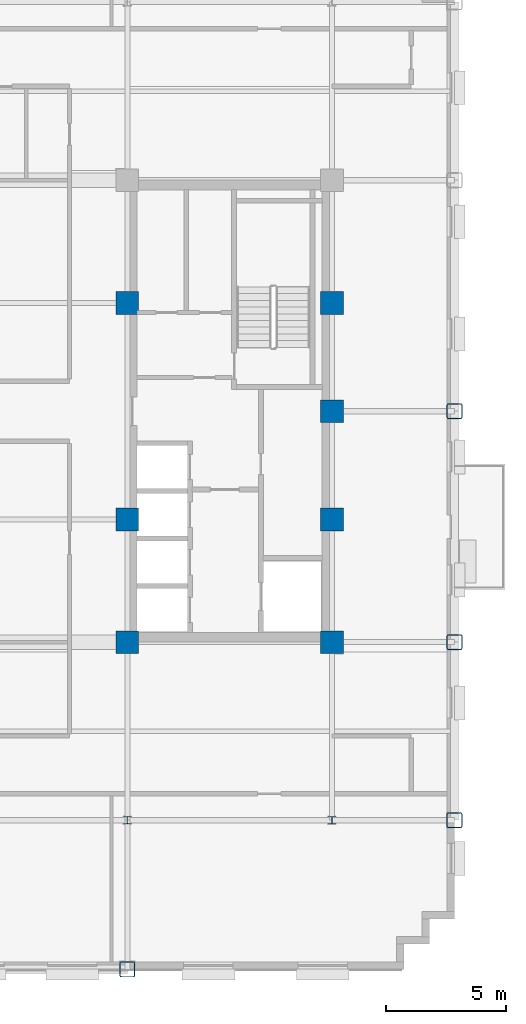
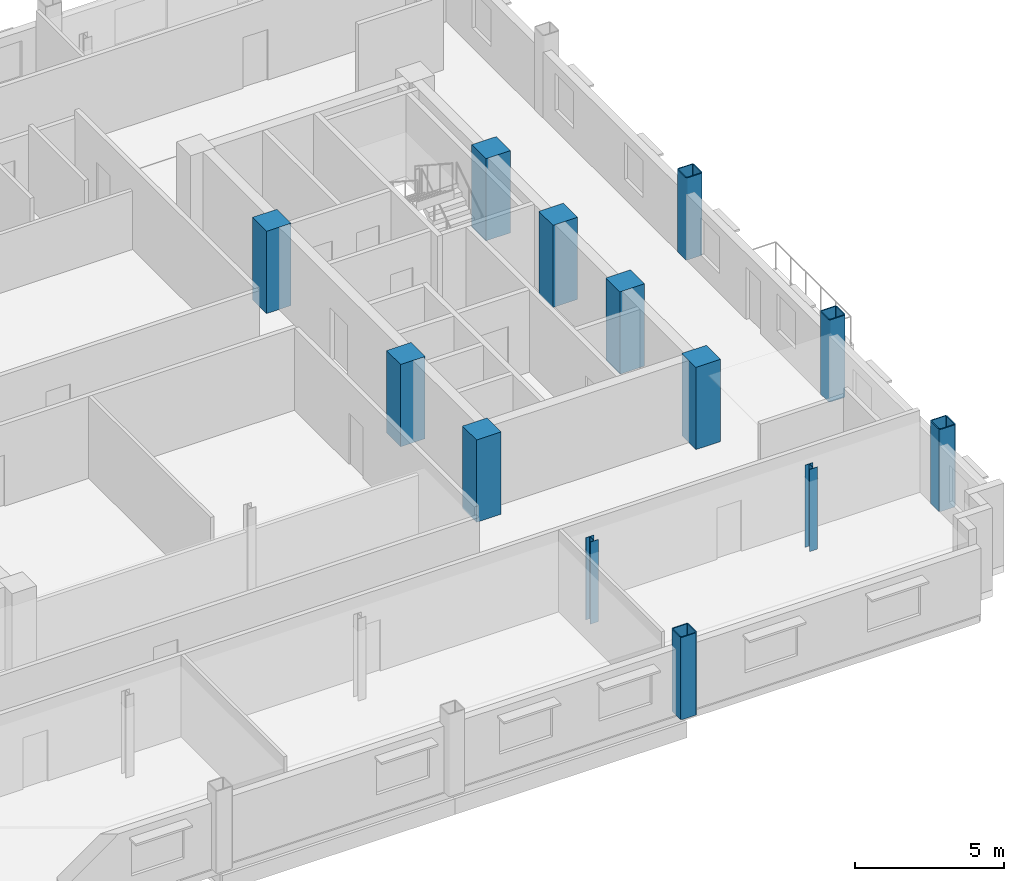
# One storey, part 2 of 14: 13 columns.
"""IFC4 building model written with IfcOpenShell, lengths in metres."""

from ifc_helpers import new_model, si_unit, direction, frame, origin, origin_2d, place, context, subcontext, project, spatial, rectangle, hollow_rectangle, i_section, extrude, material, material_profile, profile_set, type_object, element, save


model = new_model("IFC4")

# Units and contexts
model_context = context("Model", 3, precision=1e-05, world=origin(), true_north=direction((0.0, 1.0)))
body_context = subcontext(model_context, "Body", "Model", "MODEL_VIEW")
ifc_project = project(units=[si_unit("LENGTHUNIT", "METRE"), si_unit("AREAUNIT", "SQUARE_METRE"), si_unit("VOLUMEUNIT", "CUBIC_METRE"), si_unit("PLANEANGLEUNIT", "RADIAN"), si_unit("MASSUNIT", "GRAM", prefix="KILO")], contexts=[model_context])

# Site, building, storey
site_placement = place(None, origin())
site = spatial("IfcSite", under=ifc_project, at=site_placement, CompositionType="ELEMENT")
building_placement = place(site_placement, origin())
building = spatial("IfcBuilding", under=site, at=building_placement, Name="Nuvemarco Arch Tower", CompositionType="ELEMENT")
storey_placement = place(building_placement, frame((0.0, 0.0, 171.300048828125)))
storey = spatial("IfcBuildingStorey", under=building, at=storey_placement, Name="L45", CompositionType="ELEMENT", Elevation=171.300048828125)

# Columns
ifc_material_1 = material(Name="Concrete C50/60", Category="concrete")
ifc_material_profile_1 = material_profile(ifc_material_1, rectangle(XDim=0.949951171875, YDim=0.949951171875, at=origin_2d()), Name="RC-COL-950x950")
ifc_profile_set_1 = profile_set([ifc_material_profile_1], Name="Concrete C50/60")
column_type_1 = type_object("IfcColumnType", Name="COL-CORE-950", PredefinedType="COLUMN", material=ifc_profile_set_1)
for number, where, z_axis, x_axis, name in (
    (1, (9.0, -9.60009765625, 0.0), (0.0, 0.0, 1.0), (1.0, 0.0, 0.0), "L45 column CC_+9.0_-9.6"),
    (2, (9.0, -4.5, 0.0), (0.0, 0.0, 1.0), (1.0, 0.0, 0.0), "L45 column CC_+9.0_-4.5"),
    (3, (9.0, 4.5, 0.0), (0.0, 0.0, 1.0), (1.0, 0.0, 0.0), "L45 column CC_+9.0_+4.5"),
    (4, (17.5, -9.60009765625, 0.0), (0.0, 0.0, 1.0), (1.0, 0.0, 0.0), "L45 column CC_+17.5_-9.6"),
    (5, (17.5, -4.5, 0.0), (0.0, 0.0, 1.0), (1.0, 0.0, 0.0), "L45 column CC_+17.5_-4.5"),
    (6, (17.5, 4.5, 0.0), (0.0, 0.0, 1.0), (1.0, 0.0, 0.0), "L45 column CC_+17.5_+4.5"),
    (7, (17.5, 0.0, 0.0), (0.0, 0.0, 1.0), (1.0, 0.0, 0.0), "L45 column CC_+17.5_+0.0"),
):
    element("IfcColumn", number, at=place(storey_placement, frame(where, z_axis=z_axis, x_axis=x_axis)), inside=storey, type_object=column_type_1, Name=name, PredefinedType="COLUMN", context=body_context, shape_type="SweptSolid", body=[
        extrude(rectangle(XDim=0.949951171875, YDim=0.949951171875, at=origin_2d()), origin(), (0.0, 0.0, 1.0), 3.369873046875),
    ])
ifc_material_2 = material(Name="Steel S355", Category="steel")
ifc_material_profile_2 = material_profile(ifc_material_2, hollow_rectangle(XDim=0.64990234375, YDim=0.64990234375, WallThickness=0.0400390625, InnerFilletRadius=0.0400390625, OuterFilletRadius=0.080078125, at=origin_2d()), Name="SHS650x650x40")
ifc_profile_set_2 = profile_set([ifc_material_profile_2], Name="Steel S355")
column_type_2 = type_object("IfcColumnType", Name="COL-EXO-650", PredefinedType="COLUMN", material=ifc_profile_set_2)
for number, where, z_axis, x_axis, name in (
    (8, (22.60009765625, -17.0, 0.0), (0.0, 0.0, 1.0), (1.0, 0.0, 0.0), "L45 column CX_+22.6_-17.0"),
    (9, (22.60009765625, -9.60009765625, 0.0), (0.0, 0.0, 1.0), (1.0, 0.0, 0.0), "L45 column CX_+22.6_-9.6"),
    (10, (22.60009765625, 0.0, 0.0), (0.0, 0.0, 1.0), (1.0, 0.0, 0.0), "L45 column CX_+22.6_+0.0"),
    (11, (9.0, -23.199951171875, 0.0), (0.0, 0.0, 1.0), (1.0, 0.0, 0.0), "L45 column CY_+9.0_-23.2"),
):
    element("IfcColumn", number, at=place(storey_placement, frame(where, z_axis=z_axis, x_axis=x_axis)), inside=storey, type_object=column_type_2, Name=name, PredefinedType="COLUMN", context=body_context, shape_type="SweptSolid", body=[
        extrude(hollow_rectangle(XDim=0.64990234375, YDim=0.64990234375, WallThickness=0.0400390625, InnerFilletRadius=0.0400390625, OuterFilletRadius=0.080078125, at=origin_2d()), origin(), (0.0, 0.0, 1.0), 3.369873046875),
    ])
ifc_material_profile_3 = material_profile(ifc_material_2, i_section(OverallWidth=0.31005859375, OverallDepth=0.31005859375, WebThickness=0.015380859375, FlangeThickness=0.015380859375, FilletRadius=0.014892578125, at=origin_2d()), Name="HP310x110")
ifc_profile_set_3 = profile_set([ifc_material_profile_3], Name="Steel S355")
column_type_3 = type_object("IfcColumnType", Name="COL-STL-HP310", PredefinedType="COLUMN", material=ifc_profile_set_3)
for number, where, z_axis, x_axis, name in (
    (12, (9.0, -17.0, 0.0), (0.0, 0.0, 1.0), (1.0, 0.0, 0.0), "L45 column CI_+9.0_-17.0"),
    (13, (17.5, -17.0, 0.0), (0.0, 0.0, 1.0), (1.0, 0.0, 0.0), "L45 column CI_+17.5_-17.0"),
):
    element("IfcColumn", number, at=place(storey_placement, frame(where, z_axis=z_axis, x_axis=x_axis)), inside=storey, type_object=column_type_3, Name=name, PredefinedType="COLUMN", context=body_context, shape_type="SweptSolid", body=[
        extrude(i_section(OverallWidth=0.31005859375, OverallDepth=0.31005859375, WebThickness=0.015380859375, FlangeThickness=0.015380859375, FilletRadius=0.014892578125, at=origin_2d()), origin(), (0.0, 0.0, 1.0), 3.369873046875),
    ])

save(model, "model.ifc")
